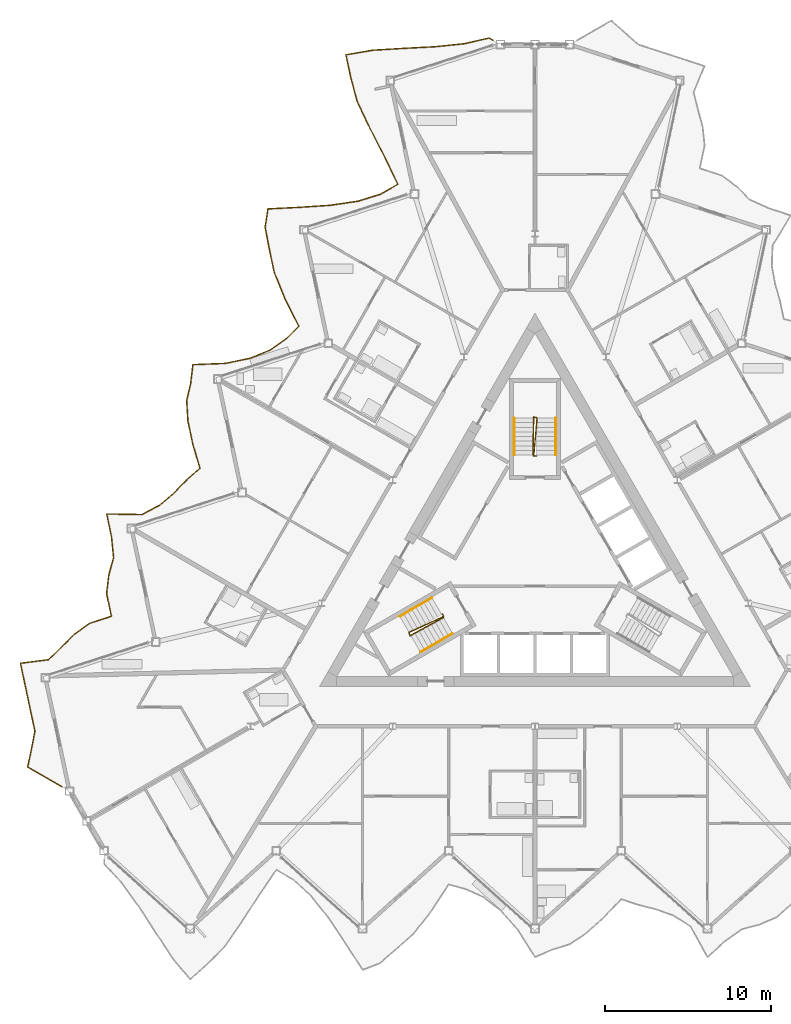
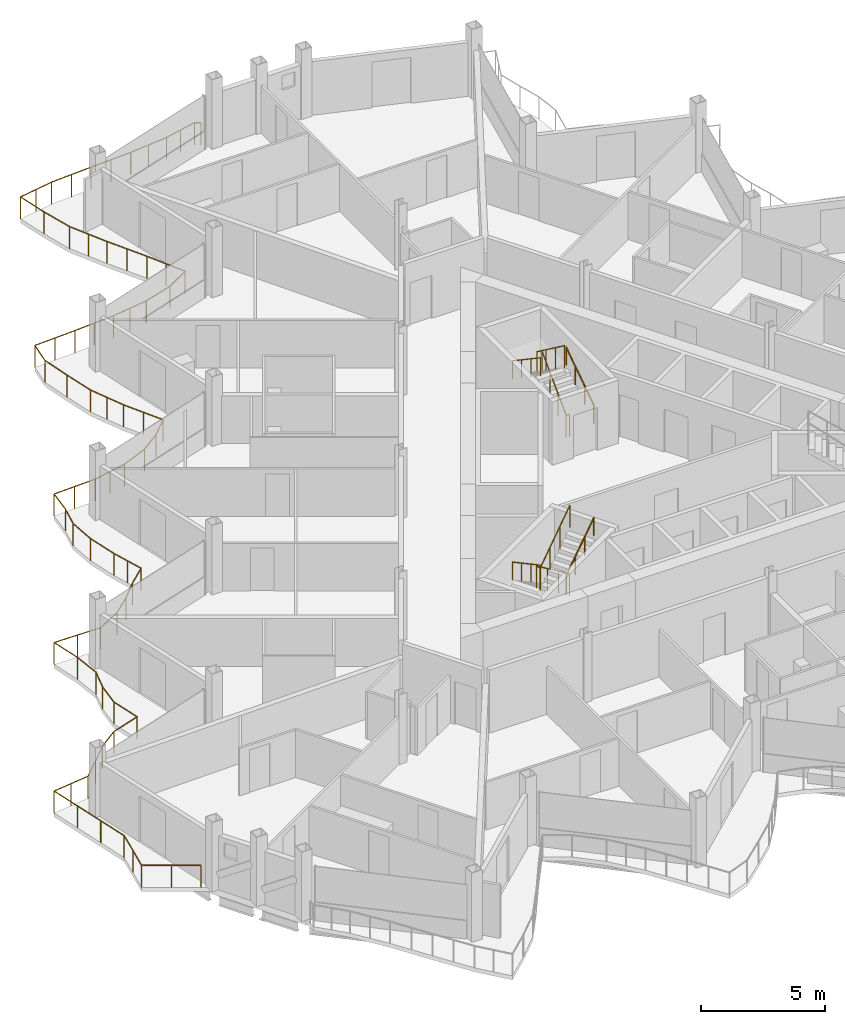
# One storey, part 23 of 26: 7 railings.
"""IFC4 building model written with IfcOpenShell, lengths in metres."""

from ifc_helpers import new_model, si_unit, direction, frame, origin, origin_2d, place, context, subcontext, project, spatial, circle, extrude, material, type_object, element, save


model = new_model("IFC4")

# Units and contexts
model_context = context("Model", 3, precision=1e-05, world=origin(), true_north=direction((0.0, 1.0)))
body_context = subcontext(model_context, "Body", "Model", "MODEL_VIEW")
ifc_project = project(units=[si_unit("LENGTHUNIT", "METRE"), si_unit("AREAUNIT", "SQUARE_METRE"), si_unit("VOLUMEUNIT", "CUBIC_METRE"), si_unit("PLANEANGLEUNIT", "RADIAN"), si_unit("MASSUNIT", "GRAM", prefix="KILO")], contexts=[model_context])

# Site, building, storey
site_placement = place(None, origin())
site = spatial("IfcSite", under=ifc_project, at=site_placement, CompositionType="ELEMENT")
building_placement = place(site_placement, origin())
building = spatial("IfcBuilding", under=site, at=building_placement, Name="Cormorant Prow Tower", CompositionType="ELEMENT")
storey_placement = place(building_placement, frame((0.0, 0.0, 398.39990234375)))
storey = spatial("IfcBuildingStorey", under=building, at=storey_placement, Name="L91", CompositionType="ELEMENT", Elevation=398.39990234375)

# Railings
ifc_material_1 = material(Name="Aluminium 6063-T6", Category="aluminium")
railing_type_1 = type_object("IfcRailingType", Name="Balcony guard 1100", PredefinedType="GUARDRAIL", material=ifc_material_1)
railing_1_placement = place(storey_placement, frame((-2.52685546875, 31.481201171875, 0.0)))
element("IfcRailing", 1, at=railing_1_placement, inside=storey, type_object=railing_type_1, Name="Balcony guard WNW", PredefinedType="GUARDRAIL", context=body_context, shape_type="SweptSolid", body=[
    extrude(circle(Radius=0.02392578125, at=origin_2d()), frame((0.0, 0.0, 1.076171875), z_axis=(-0.866065156741, 0.499931139538, 0.0), x_axis=(-0.499931139538, -0.866065156741, 0.0)), (0.0, 0.0, 1.0), 0.27001953125),
    extrude(circle(Radius=0.02392578125, at=origin_2d()), frame((-0.23388671875, 0.135009765625, 1.076171875), z_axis=(-0.974873370291, -0.222759762745, 0.0), x_axis=(0.222759762745, -0.974873370291, 0.0)), (0.0, 0.0, 1.0), 1.52880859375),
    extrude(circle(Radius=0.02392578125, at=origin_2d()), frame((-1.724365234375, -0.20556640625, 1.076171875), z_axis=(-0.994629350633, -0.103500989653, 0.0), x_axis=(0.103500989653, -0.994629350633, 0.0)), (0.0, 0.0, 1.0), 1.771484375),
    extrude(circle(Radius=0.02392578125, at=origin_2d()), frame((-3.486328125, -0.388916015625, 1.076171875), z_axis=(-0.998632269779, -0.052283742747, 0.0), x_axis=(0.052283742747, -0.998632269779, 0.0)), (0.0, 0.0, 1.0), 1.909912109375),
    extrude(circle(Radius=0.02392578125, at=origin_2d()), frame((-5.3935546875, -0.48876953125, 1.076171875), z_axis=(-0.998162331377, -0.060596701399, 0.0), x_axis=(0.060596701399, -0.998162331377, 0.0)), (0.0, 0.0, 1.0), 1.885498046875),
    extrude(circle(Radius=0.02392578125, at=origin_2d()), frame((-7.275634765625, -0.60302734375, 1.076171875), z_axis=(-0.985696356204, -0.168530986367, 0.0), x_axis=(0.168530986367, -0.985696356204, 0.0)), (0.0, 0.0, 1.0), 1.628173828125),
    extrude(circle(Radius=0.02392578125, at=origin_2d()), frame((-8.880615234375, -0.87744140625, 1.076171875), z_axis=(0.207944297815, -0.978140669335, 0.0), x_axis=(0.978140669335, 0.207944297815, 0.0)), (0.0, 0.0, 1.0), 1.3994140625),
    extrude(circle(Radius=0.02392578125, at=origin_2d()), frame((-8.589599609375, -2.246337890625, 1.076171875), z_axis=(0.256450563767, -0.966557348709, 0.0), x_axis=(0.966557348709, 0.256450563767, 0.0)), (0.0, 0.0, 1.0), 1.467041015625),
    extrude(circle(Radius=0.02392578125, at=origin_2d()), frame((-8.21337890625, -3.664306640625, 1.076171875), z_axis=(0.426711576911, -0.904387765359, 0.0), x_axis=(0.904387765359, 0.426711576911, 0.0)), (0.0, 0.0, 1.0), 1.8251953125),
    extrude(circle(Radius=0.02392578125, at=origin_2d()), frame((-7.4345703125, -5.31494140625, 1.076171875), z_axis=(0.45720436602, -0.889361663044, 0.0), x_axis=(0.889361663044, 0.45720436602, 0.0)), (0.0, 0.0, 1.0), 1.920166015625),
    extrude(circle(Radius=0.02392578125, at=origin_2d()), frame((-6.556640625, -7.022705078125, 1.076171875), z_axis=(0.434918906618, -0.90046962451, 0.0), x_axis=(0.90046962451, 0.434918906618, 0.0)), (0.0, 0.0, 1.0), 1.84912109375),
    extrude(circle(Radius=0.02392578125, at=origin_2d()), frame((-5.75244140625, -8.687744140625, 1.076171875), z_axis=(-0.867204398471, -0.497952338354, 0.0), x_axis=(0.497952338354, -0.867204398471, 0.0)), (0.0, 0.0, 1.0), 1.20263671875),
    extrude(circle(Radius=0.02392578125, at=origin_2d()), frame((-6.79541015625, -9.28662109375, 1.076171875), z_axis=(-0.955030475697, -0.296507656715, 0.0), x_axis=(0.296507656715, -0.955030475697, 0.0)), (0.0, 0.0, 1.0), 1.416259765625),
    extrude(circle(Radius=0.02392578125, at=origin_2d()), frame((-8.14794921875, -9.70654296875, 1.076171875), z_axis=(-0.989243360766, -0.146279093447, 0.0), x_axis=(0.146279093447, -0.989243360766, 0.0)), (0.0, 0.0, 1.0), 1.674072265625),
    extrude(circle(Radius=0.02392578125, at=origin_2d()), frame((-9.803955078125, -9.951416015625, 1.076171875), z_axis=(-0.997767193681, -0.066787927164, 0.0), x_axis=(0.066787927164, -0.997767193681, 0.0)), (0.0, 0.0, 1.0), 1.867919921875),
    extrude(circle(Radius=0.02392578125, at=origin_2d()), frame((-11.667724609375, -10.076171875, 1.076171875), z_axis=(-0.998759316448, -0.049797869514, 0.0), x_axis=(0.049797869514, -0.998759316448, 0.0)), (0.0, 0.0, 1.0), 1.9169921875),
    extrude(circle(Radius=0.02392578125, at=origin_2d()), frame((-13.582275390625, -10.171630859375, 1.076171875), z_axis=(-0.153916021447, -0.988083932843, 0.0), x_axis=(0.988083932843, -0.153916021447, 0.0)), (0.0, 0.0, 1.0), 1.114990234375),
    extrude(circle(Radius=0.02392578125, at=origin_2d()), frame((-13.75390625, -11.2734375, 1.076171875), z_axis=(0.18608198355, -0.982534220981, 0.0), x_axis=(0.982534220981, 0.18608198355, 0.0)), (0.0, 0.0, 1.0), 1.372314453125),
    extrude(circle(Radius=0.02392578125, at=origin_2d()), frame((-13.49853515625, -12.621826171875, 1.076171875), z_axis=(0.20777738218, -0.978176139279, 0.0), x_axis=(0.978176139279, 0.20777738218, 0.0)), (0.0, 0.0, 1.0), 1.3994140625),
    extrude(circle(Radius=0.02392578125, at=origin_2d()), frame((-13.207763671875, -13.99072265625, 1.076171875), z_axis=(0.373958300554, -0.927445518317, 0.0), x_axis=(0.927445518317, 0.373958300554, 0.0)), (0.0, 0.0, 1.0), 1.687744140625),
    extrude(circle(Radius=0.02392578125, at=origin_2d()), frame((-12.57666015625, -15.555908203125, 1.076171875), z_axis=(0.450707823125, -0.892671528712, 0.0), x_axis=(0.892671528712, 0.450707823125, 0.0)), (0.0, 0.0, 1.0), 1.898681640625),
    extrude(circle(Radius=0.02392578125, at=origin_2d()), frame((-11.720947265625, -17.250732421875, 1.076171875), z_axis=(-0.709707035486, -0.704496929576, 0.0), x_axis=(0.704496929576, -0.709707035486, 0.0)), (0.0, 0.0, 1.0), 1.07763671875),
    extrude(circle(Radius=0.02392578125, at=origin_2d()), frame((-12.48583984375, -18.010009765625, 1.076171875), z_axis=(-0.813978799113, -0.580894581309, 0.0), x_axis=(0.580894581309, -0.813978799113, 0.0)), (0.0, 0.0, 1.0), 1.142822265625),
    extrude(circle(Radius=0.02392578125, at=origin_2d()), frame((-13.416015625, -18.673828125, 1.076171875), z_axis=(-0.92453937259, -0.381086536801, 0.0), x_axis=(0.381086536801, -0.92453937259, 0.0)), (0.0, 0.0, 1.0), 1.312744140625),
    extrude(circle(Radius=0.02392578125, at=origin_2d()), frame((-14.629638671875, -19.174072265625, 1.076171875), z_axis=(-0.979287111935, -0.202476547773, 0.0), x_axis=(0.202476547773, -0.979287111935, 0.0)), (0.0, 0.0, 1.0), 1.56396484375),
    extrude(circle(Radius=0.02392578125, at=origin_2d()), frame((-16.1611328125, -19.49072265625, 1.076171875), z_axis=(-0.99926228289, -0.038404296551, 0.0), x_axis=(0.038404296551, -0.99926228289, 0.0)), (0.0, 0.0, 1.0), 1.95166015625),
    extrude(circle(Radius=0.02392578125, at=origin_2d()), frame((-18.111328125, -19.565673828125, 1.076171875), z_axis=(-0.11686626833, -0.993147660384, 0.0), x_axis=(0.993147660384, -0.11686626833, 0.0)), (0.0, 0.0, 1.0), 1.13232421875),
    extrude(circle(Radius=0.02392578125, at=origin_2d()), frame((-18.24365234375, -20.690185546875, 1.076171875), z_axis=(-0.22422016943, -0.97453851418, 0.0), x_axis=(0.97453851418, -0.22422016943, 0.0)), (0.0, 0.0, 1.0), 1.087646484375),
    extrude(circle(Radius=0.02392578125, at=origin_2d()), frame((-18.487548828125, -21.750244140625, 1.076171875), z_axis=(0.063886451825, -0.997957174068, 0.0), x_axis=(0.997957174068, 0.063886451825, 0.0)), (0.0, 0.0, 1.0), 1.24951171875),
    extrude(circle(Radius=0.02392578125, at=origin_2d()), frame((-18.40771484375, -22.997314453125, 1.076171875), z_axis=(0.207944297815, -0.978140669335, 0.0), x_axis=(0.978140669335, 0.207944297815, 0.0)), (0.0, 0.0, 1.0), 1.3994140625),
    extrude(circle(Radius=0.02392578125, at=origin_2d()), frame((-18.11669921875, -24.3662109375, 1.076171875), z_axis=(0.284456795852, -0.958688860524, 0.0), x_axis=(0.958688860524, 0.284456795852, 0.0)), (0.0, 0.0, 1.0), 1.511474609375),
    extrude(circle(Radius=0.02392578125, at=origin_2d()), frame((-17.686767578125, -25.815185546875, 1.076171875), z_axis=(-0.748158452979, -0.663520104621, 0.0), x_axis=(0.663520104621, -0.748158452979, 0.0)), (0.0, 0.0, 1.0), 1.09619140625),
    extrude(circle(Radius=0.02392578125, at=origin_2d()), frame((-18.5068359375, -26.54248046875, 1.076171875), z_axis=(-0.694004890658, -0.71997028532, 0.0), x_axis=(0.71997028532, -0.694004890658, 0.0)), (0.0, 0.0, 1.0), 1.07177734375),
    extrude(circle(Radius=0.02392578125, at=origin_2d()), frame((-19.250732421875, -27.314208984375, 1.076171875), z_axis=(-0.761360498228, -0.648328768247, 0.0), x_axis=(0.648328768247, -0.761360498228, 0.0)), (0.0, 0.0, 1.0), 1.103759765625),
    extrude(circle(Radius=0.02392578125, at=origin_2d()), frame((-20.091064453125, -28.02978515625, 1.076171875), z_axis=(-0.882363970647, -0.470567554452, 0.0), x_axis=(0.470567554452, -0.882363970647, 0.0)), (0.0, 0.0, 1.0), 1.225341796875),
    extrude(circle(Radius=0.02392578125, at=origin_2d()), frame((-21.17236328125, -28.6064453125, 1.076171875), z_axis=(-0.999874162448, 0.015863772238, 0.0), x_axis=(-0.015863772238, -0.999874162448, 0.0)), (0.0, 0.0, 1.0), 2.13916015625),
    extrude(circle(Radius=0.02392578125, at=origin_2d()), frame((-23.311279296875, -28.572509765625, 1.076171875), z_axis=(0.207812845083, -0.978168605823, 0.0), x_axis=(0.978168605823, 0.207812845083, 0.0)), (0.0, 0.0, 1.0), 1.399169921875),
    extrude(circle(Radius=0.02392578125, at=origin_2d()), frame((-23.0205078125, -29.941162109375, 1.076171875), z_axis=(0.097538060509, -0.995231795489, 0.0), x_axis=(0.995231795489, 0.097538060509, 0.0)), (0.0, 0.0, 1.0), 1.279052734375),
    extrude(circle(Radius=0.02392578125, at=origin_2d()), frame((-22.895751953125, -31.214111328125, 1.076171875), z_axis=(-0.266307602116, -0.963888095712, 0.0), x_axis=(0.963888095712, -0.266307602116, 0.0)), (0.0, 0.0, 1.0), 1.074462890625),
    extrude(circle(Radius=0.02392578125, at=origin_2d()), frame((-23.181884765625, -32.249755859375, 1.076171875), z_axis=(-0.119145220618, -0.992876838487, 0.0), x_axis=(0.992876838487, -0.119145220618, 0.0)), (0.0, 0.0, 1.0), 1.131103515625),
    extrude(circle(Radius=0.02392578125, at=origin_2d()), frame((-23.316650390625, -33.372802734375, 1.076171875), z_axis=(0.207944297815, -0.978140669335, 0.0), x_axis=(0.978140669335, 0.207944297815, 0.0)), (0.0, 0.0, 1.0), 1.3994140625),
    extrude(circle(Radius=0.02392578125, at=origin_2d()), frame((-23.025634765625, -34.74169921875, 1.076171875), z_axis=(-0.951028941009, -0.309101849499, 0.0), x_axis=(0.309101849499, -0.951028941009, 0.0)), (0.0, 0.0, 1.0), 1.399658203125),
    extrude(circle(Radius=0.02392578125, at=origin_2d()), frame((-24.356689453125, -35.17431640625, 1.076171875), z_axis=(-0.809393871264, -0.587266175733, 0.0), x_axis=(0.587266175733, -0.809393871264, 0.0)), (0.0, 0.0, 1.0), 1.138671875),
    extrude(circle(Radius=0.02392578125, at=origin_2d()), frame((-25.2783203125, -35.843017578125, 1.076171875), z_axis=(-0.703121250885, -0.711069973036, 0.0), x_axis=(0.711069973036, -0.703121250885, 0.0)), (0.0, 0.0, 1.0), 1.074951171875),
    extrude(circle(Radius=0.02392578125, at=origin_2d()), frame((-26.0341796875, -36.607421875, 1.076171875), z_axis=(-0.719187567553, -0.694815977564, 0.0), x_axis=(0.694815977564, -0.719187567553, 0.0)), (0.0, 0.0, 1.0), 1.081787109375),
    extrude(circle(Radius=0.02392578125, at=origin_2d()), frame((-26.812255859375, -37.359130859375, 1.076171875), z_axis=(-0.99172234521, -0.12840089568, 0.0), x_axis=(0.12840089568, -0.99172234521, 0.0)), (0.0, 0.0, 1.0), 1.713134765625),
    extrude(circle(Radius=0.02392578125, at=origin_2d()), frame((-28.51123046875, -37.5791015625, 1.076171875), z_axis=(0.20777738218, -0.978176139279, 0.0), x_axis=(0.978176139279, 0.20777738218, 0.0)), (0.0, 0.0, 1.0), 1.3994140625),
    extrude(circle(Radius=0.02392578125, at=origin_2d()), frame((-28.220458984375, -38.947998046875, 1.076171875), z_axis=(0.207944297815, -0.978140669335, 0.0), x_axis=(0.978140669335, 0.207944297815, 0.0)), (0.0, 0.0, 1.0), 1.3994140625),
    extrude(circle(Radius=0.02392578125, at=origin_2d()), frame((-27.929443359375, -40.31689453125, 1.076171875), z_axis=(0.207944297815, -0.978140669335, 0.0), x_axis=(0.978140669335, 0.207944297815, 0.0)), (0.0, 0.0, 1.0), 1.3994140625),
    extrude(circle(Radius=0.02392578125, at=origin_2d()), frame((-27.638427734375, -41.685791015625, 1.076171875), z_axis=(-0.191630354817, -0.981467170675, 0.0), x_axis=(0.981467170675, -0.191630354817, 0.0)), (0.0, 0.0, 1.0), 1.099365234375),
    extrude(circle(Radius=0.02392578125, at=origin_2d()), frame((-27.84912109375, -42.764892578125, 1.076171875), z_axis=(-0.205201060308, -0.978719839816, 0.0), x_axis=(0.978719839816, -0.205201060308, 0.0)), (0.0, 0.0, 1.0), 1.094482421875),
    extrude(circle(Radius=0.02392578125, at=origin_2d()), frame((-28.07373046875, -43.836181640625, 1.076171875), z_axis=(0.866025985952, -0.499998991654, 0.0), x_axis=(0.499998991654, 0.866025985952, 0.0)), (0.0, 0.0, 1.0), 2.39453125),
    extrude(circle(Radius=0.02099609375, at=origin_2d()), origin(), (0.0, 0.0, 1.0), 1.052001953125),
    extrude(circle(Radius=0.02099609375, at=origin_2d()), frame((-0.23388671875, 0.135009765625, 0.0)), (0.0, 0.0, 1.0), 1.052001953125),
    extrude(circle(Radius=0.02099609375, at=origin_2d()), frame((-0.97900390625, -0.03515625, 0.0)), (0.0, 0.0, 1.0), 1.052001953125),
    extrude(circle(Radius=0.02099609375, at=origin_2d()), frame((-1.724365234375, -0.20556640625, 0.0)), (0.0, 0.0, 1.0), 1.052001953125),
    extrude(circle(Radius=0.02099609375, at=origin_2d()), frame((-2.60546875, -0.29736328125, 0.0)), (0.0, 0.0, 1.0), 1.052001953125),
    extrude(circle(Radius=0.02099609375, at=origin_2d()), frame((-3.486328125, -0.388916015625, 0.0)), (0.0, 0.0, 1.0), 1.052001953125),
    extrude(circle(Radius=0.02099609375, at=origin_2d()), frame((-4.43994140625, -0.43896484375, 0.0)), (0.0, 0.0, 1.0), 1.052001953125),
    extrude(circle(Radius=0.02099609375, at=origin_2d()), frame((-5.3935546875, -0.48876953125, 0.0)), (0.0, 0.0, 1.0), 1.052001953125),
    extrude(circle(Radius=0.02099609375, at=origin_2d()), frame((-6.33447265625, -0.5458984375, 0.0)), (0.0, 0.0, 1.0), 1.052001953125),
    extrude(circle(Radius=0.02099609375, at=origin_2d()), frame((-7.275634765625, -0.60302734375, 0.0)), (0.0, 0.0, 1.0), 1.052001953125),
    extrude(circle(Radius=0.02099609375, at=origin_2d()), frame((-8.078125, -0.740234375, 0.0)), (0.0, 0.0, 1.0), 1.052001953125),
    extrude(circle(Radius=0.02099609375, at=origin_2d()), frame((-8.880615234375, -0.87744140625, 0.0)), (0.0, 0.0, 1.0), 1.052001953125),
    extrude(circle(Radius=0.02099609375, at=origin_2d()), frame((-8.589599609375, -2.246337890625, 0.0)), (0.0, 0.0, 1.0), 1.052001953125),
    extrude(circle(Radius=0.02099609375, at=origin_2d()), frame((-8.21337890625, -3.664306640625, 0.0)), (0.0, 0.0, 1.0), 1.052001953125),
    extrude(circle(Radius=0.02099609375, at=origin_2d()), frame((-7.823974609375, -4.48974609375, 0.0)), (0.0, 0.0, 1.0), 1.052001953125),
    extrude(circle(Radius=0.02099609375, at=origin_2d()), frame((-7.4345703125, -5.31494140625, 0.0)), (0.0, 0.0, 1.0), 1.052001953125),
    extrude(circle(Radius=0.02099609375, at=origin_2d()), frame((-6.99560546875, -6.1689453125, 0.0)), (0.0, 0.0, 1.0), 1.052001953125),
    extrude(circle(Radius=0.02099609375, at=origin_2d()), frame((-6.556640625, -7.022705078125, 0.0)), (0.0, 0.0, 1.0), 1.052001953125),
    extrude(circle(Radius=0.02099609375, at=origin_2d()), frame((-6.154541015625, -7.855224609375, 0.0)), (0.0, 0.0, 1.0), 1.052001953125),
    extrude(circle(Radius=0.02099609375, at=origin_2d()), frame((-5.75244140625, -8.687744140625, 0.0)), (0.0, 0.0, 1.0), 1.052001953125),
    extrude(circle(Radius=0.02099609375, at=origin_2d()), frame((-6.79541015625, -9.28662109375, 0.0)), (0.0, 0.0, 1.0), 1.052001953125),
    extrude(circle(Radius=0.02099609375, at=origin_2d()), frame((-8.14794921875, -9.70654296875, 0.0)), (0.0, 0.0, 1.0), 1.052001953125),
    extrude(circle(Radius=0.02099609375, at=origin_2d()), frame((-8.97607421875, -9.8291015625, 0.0)), (0.0, 0.0, 1.0), 1.052001953125),
    extrude(circle(Radius=0.02099609375, at=origin_2d()), frame((-9.803955078125, -9.951416015625, 0.0)), (0.0, 0.0, 1.0), 1.052001953125),
    extrude(circle(Radius=0.02099609375, at=origin_2d()), frame((-10.73583984375, -10.013671875, 0.0)), (0.0, 0.0, 1.0), 1.052001953125),
    extrude(circle(Radius=0.02099609375, at=origin_2d()), frame((-11.667724609375, -10.076171875, 0.0)), (0.0, 0.0, 1.0), 1.052001953125),
    extrude(circle(Radius=0.02099609375, at=origin_2d()), frame((-12.625, -10.1240234375, 0.0)), (0.0, 0.0, 1.0), 1.052001953125),
    extrude(circle(Radius=0.02099609375, at=origin_2d()), frame((-13.582275390625, -10.171630859375, 0.0)), (0.0, 0.0, 1.0), 1.052001953125),
    extrude(circle(Radius=0.02099609375, at=origin_2d()), frame((-13.75390625, -11.2734375, 0.0)), (0.0, 0.0, 1.0), 1.052001953125),
    extrude(circle(Radius=0.02099609375, at=origin_2d()), frame((-13.49853515625, -12.621826171875, 0.0)), (0.0, 0.0, 1.0), 1.052001953125),
    extrude(circle(Radius=0.02099609375, at=origin_2d()), frame((-13.207763671875, -13.99072265625, 0.0)), (0.0, 0.0, 1.0), 1.052001953125),
    extrude(circle(Radius=0.02099609375, at=origin_2d()), frame((-12.89208984375, -14.7734375, 0.0)), (0.0, 0.0, 1.0), 1.052001953125),
    extrude(circle(Radius=0.02099609375, at=origin_2d()), frame((-12.57666015625, -15.555908203125, 0.0)), (0.0, 0.0, 1.0), 1.052001953125),
    extrude(circle(Radius=0.02099609375, at=origin_2d()), frame((-12.14892578125, -16.4033203125, 0.0)), (0.0, 0.0, 1.0), 1.052001953125),
    extrude(circle(Radius=0.02099609375, at=origin_2d()), frame((-11.720947265625, -17.250732421875, 0.0)), (0.0, 0.0, 1.0), 1.052001953125),
    extrude(circle(Radius=0.02099609375, at=origin_2d()), frame((-12.48583984375, -18.010009765625, 0.0)), (0.0, 0.0, 1.0), 1.052001953125),
    extrude(circle(Radius=0.02099609375, at=origin_2d()), frame((-13.416015625, -18.673828125, 0.0)), (0.0, 0.0, 1.0), 1.052001953125),
    extrude(circle(Radius=0.02099609375, at=origin_2d()), frame((-14.629638671875, -19.174072265625, 0.0)), (0.0, 0.0, 1.0), 1.052001953125),
    extrude(circle(Radius=0.02099609375, at=origin_2d()), frame((-15.3955078125, -19.33251953125, 0.0)), (0.0, 0.0, 1.0), 1.052001953125),
    extrude(circle(Radius=0.02099609375, at=origin_2d()), frame((-16.1611328125, -19.49072265625, 0.0)), (0.0, 0.0, 1.0), 1.052001953125),
    extrude(circle(Radius=0.02099609375, at=origin_2d()), frame((-17.13623046875, -19.5283203125, 0.0)), (0.0, 0.0, 1.0), 1.052001953125),
    extrude(circle(Radius=0.02099609375, at=origin_2d()), frame((-18.111328125, -19.565673828125, 0.0)), (0.0, 0.0, 1.0), 1.052001953125),
    extrude(circle(Radius=0.02099609375, at=origin_2d()), frame((-18.24365234375, -20.690185546875, 0.0)), (0.0, 0.0, 1.0), 1.052001953125),
    extrude(circle(Radius=0.02099609375, at=origin_2d()), frame((-18.487548828125, -21.750244140625, 0.0)), (0.0, 0.0, 1.0), 1.052001953125),
    extrude(circle(Radius=0.02099609375, at=origin_2d()), frame((-18.40771484375, -22.997314453125, 0.0)), (0.0, 0.0, 1.0), 1.052001953125),
    extrude(circle(Radius=0.02099609375, at=origin_2d()), frame((-18.11669921875, -24.3662109375, 0.0)), (0.0, 0.0, 1.0), 1.052001953125),
    extrude(circle(Radius=0.02099609375, at=origin_2d()), frame((-17.90185546875, -25.0908203125, 0.0)), (0.0, 0.0, 1.0), 1.052001953125),
    extrude(circle(Radius=0.02099609375, at=origin_2d()), frame((-17.686767578125, -25.815185546875, 0.0)), (0.0, 0.0, 1.0), 1.052001953125),
    extrude(circle(Radius=0.02099609375, at=origin_2d()), frame((-18.5068359375, -26.54248046875, 0.0)), (0.0, 0.0, 1.0), 1.052001953125),
    extrude(circle(Radius=0.02099609375, at=origin_2d()), frame((-19.250732421875, -27.314208984375, 0.0)), (0.0, 0.0, 1.0), 1.052001953125),
    extrude(circle(Radius=0.02099609375, at=origin_2d()), frame((-20.091064453125, -28.02978515625, 0.0)), (0.0, 0.0, 1.0), 1.052001953125),
    extrude(circle(Radius=0.02099609375, at=origin_2d()), frame((-21.17236328125, -28.6064453125, 0.0)), (0.0, 0.0, 1.0), 1.052001953125),
    extrude(circle(Radius=0.02099609375, at=origin_2d()), frame((-22.24169921875, -28.58935546875, 0.0)), (0.0, 0.0, 1.0), 1.052001953125),
    extrude(circle(Radius=0.02099609375, at=origin_2d()), frame((-23.311279296875, -28.572509765625, 0.0)), (0.0, 0.0, 1.0), 1.052001953125),
    extrude(circle(Radius=0.02099609375, at=origin_2d()), frame((-23.0205078125, -29.941162109375, 0.0)), (0.0, 0.0, 1.0), 1.052001953125),
    extrude(circle(Radius=0.02099609375, at=origin_2d()), frame((-22.895751953125, -31.214111328125, 0.0)), (0.0, 0.0, 1.0), 1.052001953125),
    extrude(circle(Radius=0.02099609375, at=origin_2d()), frame((-23.181884765625, -32.249755859375, 0.0)), (0.0, 0.0, 1.0), 1.052001953125),
    extrude(circle(Radius=0.02099609375, at=origin_2d()), frame((-23.316650390625, -33.372802734375, 0.0)), (0.0, 0.0, 1.0), 1.052001953125),
    extrude(circle(Radius=0.02099609375, at=origin_2d()), frame((-23.025634765625, -34.74169921875, 0.0)), (0.0, 0.0, 1.0), 1.052001953125),
    extrude(circle(Radius=0.02099609375, at=origin_2d()), frame((-24.356689453125, -35.17431640625, 0.0)), (0.0, 0.0, 1.0), 1.052001953125),
    extrude(circle(Radius=0.02099609375, at=origin_2d()), frame((-25.2783203125, -35.843017578125, 0.0)), (0.0, 0.0, 1.0), 1.052001953125),
    extrude(circle(Radius=0.02099609375, at=origin_2d()), frame((-26.0341796875, -36.607421875, 0.0)), (0.0, 0.0, 1.0), 1.052001953125),
    extrude(circle(Radius=0.02099609375, at=origin_2d()), frame((-26.812255859375, -37.359130859375, 0.0)), (0.0, 0.0, 1.0), 1.052001953125),
    extrude(circle(Radius=0.02099609375, at=origin_2d()), frame((-27.66162109375, -37.46923828125, 0.0)), (0.0, 0.0, 1.0), 1.052001953125),
    extrude(circle(Radius=0.02099609375, at=origin_2d()), frame((-28.51123046875, -37.5791015625, 0.0)), (0.0, 0.0, 1.0), 1.052001953125),
    extrude(circle(Radius=0.02099609375, at=origin_2d()), frame((-28.220458984375, -38.947998046875, 0.0)), (0.0, 0.0, 1.0), 1.052001953125),
    extrude(circle(Radius=0.02099609375, at=origin_2d()), frame((-27.929443359375, -40.31689453125, 0.0)), (0.0, 0.0, 1.0), 1.052001953125),
    extrude(circle(Radius=0.02099609375, at=origin_2d()), frame((-27.638427734375, -41.685791015625, 0.0)), (0.0, 0.0, 1.0), 1.052001953125),
    extrude(circle(Radius=0.02099609375, at=origin_2d()), frame((-27.84912109375, -42.764892578125, 0.0)), (0.0, 0.0, 1.0), 1.052001953125),
    extrude(circle(Radius=0.02099609375, at=origin_2d()), frame((-28.07373046875, -43.836181640625, 0.0)), (0.0, 0.0, 1.0), 1.052001953125),
    extrude(circle(Radius=0.02099609375, at=origin_2d()), frame((-27.036865234375, -44.434814453125, 0.0)), (0.0, 0.0, 1.0), 1.052001953125),
    extrude(circle(Radius=0.02099609375, at=origin_2d()), frame((-26.0, -45.033447265625, 0.0)), (0.0, 0.0, 1.0), 1.052001953125),
])
ifc_material_2 = material(Name="Stainless steel", Category="steel")
railing_type_2 = type_object("IfcRailingType", Name="Stair guard 1100", PredefinedType="GUARDRAIL", material=ifc_material_2)
railing_2_placement = place(storey_placement, frame((-5.585205078125, -3.137939453125, 0.0)))
element("IfcRailing", 2, at=railing_2_placement, inside=storey, type_object=railing_type_2, Name="L91 ST1 stair guard 1", PredefinedType="GUARDRAIL", context=body_context, shape_type="SweptSolid", body=[
    extrude(circle(Radius=0.02392578125, at=origin_2d()), frame((0.0, 0.0, 1.076171875), z_axis=(0.501036270542, -0.865426285481, 0.0), x_axis=(0.865426285481, 0.501036270542, 0.0)), (0.0, 0.0, 1.0), 0.150146484375),
    extrude(circle(Radius=0.02392578125, at=origin_2d()), frame((0.0751953125, -0.1298828125, 1.076171875), z_axis=(-0.728604041492, -0.3399241403, 0.594632432316), x_axis=(0.422792438952, -0.906226546491, 0.0)), (0.0, 0.0, 1.0), 2.859130859375),
    extrude(circle(Radius=0.02392578125, at=origin_2d()), frame((-2.008056640625, -1.101806640625, 2.7763671875), z_axis=(0.275034262293, -0.961434425515, 0.0), x_axis=(0.961434425515, 0.275034262293, 0.0)), (0.0, 0.0, 1.0), 0.2060546875),
    extrude(circle(Radius=0.02392578125, at=origin_2d()), frame((-1.951416015625, -1.2998046875, 2.7763671875), z_axis=(0.704058451865, 0.386179398835, 0.595959032378), x_axis=(-0.480911908544, 0.87676891837, 0.0)), (0.0, 0.0, 1.0), 2.8525390625),
    extrude(circle(Radius=0.02099609375, at=origin_2d()), origin(), (0.0, 0.0, 1.0), 1.052001953125),
    extrude(circle(Radius=0.02099609375, at=origin_2d()), frame((0.0751953125, -0.1298828125, 0.0)), (0.0, 0.0, 1.0), 1.052001953125),
    extrude(circle(Radius=0.02099609375, at=origin_2d()), frame((-0.619140625, -0.453857421875, 0.566650390625)), (0.0, 0.0, 1.0), 1.052001953125),
    extrude(circle(Radius=0.02099609375, at=origin_2d()), frame((-1.313720703125, -0.77783203125, 1.133544921875)), (0.0, 0.0, 1.0), 1.052001953125),
    extrude(circle(Radius=0.02099609375, at=origin_2d()), frame((-2.008056640625, -1.101806640625, 1.7001953125)), (0.0, 0.0, 1.0), 1.052001953125),
    extrude(circle(Radius=0.02099609375, at=origin_2d()), frame((-1.951416015625, -1.2998046875, 1.7001953125)), (0.0, 0.0, 1.0), 1.052001953125),
    extrude(circle(Radius=0.02099609375, at=origin_2d()), frame((-1.281982421875, -0.9326171875, 2.266845703125)), (0.0, 0.0, 1.0), 1.052001953125),
    extrude(circle(Radius=0.02099609375, at=origin_2d()), frame((-0.612548828125, -0.5654296875, 2.83349609375)), (0.0, 0.0, 1.0), 1.052001953125),
    extrude(circle(Radius=0.02099609375, at=origin_2d()), frame((0.056884765625, -0.1982421875, 3.400146484375)), (0.0, 0.0, 1.0), 1.052001953125),
])
railing_3_placement = place(storey_placement, frame((0.074951171875, 6.40576171875, 0.0)))
element("IfcRailing", 3, at=railing_3_placement, inside=storey, type_object=railing_type_2, Name="L91 ST3 stair guard 1", PredefinedType="GUARDRAIL", context=body_context, shape_type="SweptSolid", body=[
    extrude(circle(Radius=0.02392578125, at=origin_2d()), frame((0.0, 0.0, 1.076171875), z_axis=(-1.0, 0.0, 0.0), x_axis=(0.0, -1.0, 0.0)), (0.0, 0.0, 1.0), 0.14990234375),
    extrude(circle(Radius=0.02392578125, at=origin_2d()), frame((-0.14990234375, 0.0, 1.076171875), z_axis=(0.069932991402, 0.800941952812, 0.594643897589), x_axis=(-0.996209839609, 0.086982500921, 0.0)), (0.0, 0.0, 1.0), 2.859130859375),
    extrude(circle(Radius=0.02392578125, at=origin_2d()), frame((0.050048828125, 2.2900390625, 2.7763671875), z_axis=(-0.970072785993, 0.242814311512, 0.0), x_axis=(-0.242814311512, -0.970072785993, 0.0)), (0.0, 0.0, 1.0), 0.2060546875),
    extrude(circle(Radius=0.02392578125, at=origin_2d()), frame((-0.14990234375, 2.340087890625, 2.7763671875), z_axis=(-0.017545750742, -0.80282508275, 0.595956402045), x_axis=(0.999761264773, -0.0218497931, 0.0)), (0.0, 0.0, 1.0), 2.8525390625),
    extrude(circle(Radius=0.02099609375, at=origin_2d()), origin(), (0.0, 0.0, 1.0), 1.052001953125),
    extrude(circle(Radius=0.02099609375, at=origin_2d()), frame((-0.14990234375, 0.0, 0.0)), (0.0, 0.0, 1.0), 1.052001953125),
    extrude(circle(Radius=0.02099609375, at=origin_2d()), frame((-0.083251953125, 0.763427734375, 0.566650390625)), (0.0, 0.0, 1.0), 1.052001953125),
    extrude(circle(Radius=0.02099609375, at=origin_2d()), frame((-0.0166015625, 1.526611328125, 1.133544921875)), (0.0, 0.0, 1.0), 1.052001953125),
    extrude(circle(Radius=0.02099609375, at=origin_2d()), frame((0.050048828125, 2.2900390625, 1.7001953125)), (0.0, 0.0, 1.0), 1.052001953125),
    extrude(circle(Radius=0.02099609375, at=origin_2d()), frame((-0.14990234375, 2.340087890625, 1.7001953125)), (0.0, 0.0, 1.0), 1.052001953125),
    extrude(circle(Radius=0.02099609375, at=origin_2d()), frame((-0.16650390625, 1.57666015625, 2.266845703125)), (0.0, 0.0, 1.0), 1.052001953125),
    extrude(circle(Radius=0.02099609375, at=origin_2d()), frame((-0.183349609375, 0.8134765625, 2.83349609375)), (0.0, 0.0, 1.0), 1.052001953125),
    extrude(circle(Radius=0.02099609375, at=origin_2d()), frame((-0.199951171875, 0.050048828125, 3.400146484375)), (0.0, 0.0, 1.0), 1.052001953125),
])
ifc_material_3 = material(Name="Stainless steel", Category="steel")
railing_type_3 = type_object("IfcRailingType", Name="Stair handrail 900", PredefinedType="HANDRAIL", material=ifc_material_3)
railing_4_placement = place(storey_placement, frame((-6.212890625, -2.150634765625, 0.18896484375)))
element("IfcRailing", 4, at=railing_4_placement, inside=storey, type_object=railing_type_3, Name="L91 ST1 stair handrail 1", PredefinedType="HANDRAIL", context=body_context, shape_type="SweptSolid", body=[
    extrude(circle(Radius=0.02392578125, at=origin_2d()), frame((0.0, 0.0, 0.8759765625), z_axis=(-0.717940317343, -0.414446543626, 0.55928147047), x_axis=(0.49994888933, -0.866054910533, 0.0)), (0.0, 0.0, 1.0), 2.7021484375),
    extrude(circle(Radius=0.02099609375, at=origin_2d()), origin(), (0.0, 0.0, 1.0), 0.851806640625),
    extrude(circle(Radius=0.02099609375, at=origin_2d()), frame((-0.646728515625, -0.373291015625, 0.503662109375)), (0.0, 0.0, 1.0), 0.851806640625),
    extrude(circle(Radius=0.02099609375, at=origin_2d()), frame((-1.293212890625, -0.74658203125, 1.007568359375)), (0.0, 0.0, 1.0), 0.851806640625),
    extrude(circle(Radius=0.02099609375, at=origin_2d()), frame((-1.93994140625, -1.119873046875, 1.51123046875)), (0.0, 0.0, 1.0), 0.851806640625),
])
railing_5_placement = place(storey_placement, frame((-6.90869140625, -5.42529296875, 1.888916015625)))
element("IfcRailing", 5, at=railing_5_placement, inside=storey, type_object=railing_type_3, Name="L91 ST1 stair handrail 2", PredefinedType="HANDRAIL", context=body_context, shape_type="SweptSolid", body=[
    extrude(circle(Radius=0.02392578125, at=origin_2d()), frame((0.0, 0.0, 0.8759765625), z_axis=(0.717869644322, 0.414548260308, 0.559296802813), x_axis=(-0.500077830873, 0.865980463445, 0.0)), (0.0, 0.0, 1.0), 2.701904296875),
    extrude(circle(Radius=0.02099609375, at=origin_2d()), origin(), (0.0, 0.0, 1.0), 0.851806640625),
    extrude(circle(Radius=0.02099609375, at=origin_2d()), frame((0.646484375, 0.373291015625, 0.503662109375)), (0.0, 0.0, 1.0), 0.851806640625),
    extrude(circle(Radius=0.02099609375, at=origin_2d()), frame((1.293212890625, 0.746826171875, 1.007568359375)), (0.0, 0.0, 1.0), 0.851806640625),
    extrude(circle(Radius=0.02099609375, at=origin_2d()), frame((1.939697265625, 1.1201171875, 1.51123046875)), (0.0, 0.0, 1.0), 0.851806640625),
])
railing_6_placement = place(storey_placement, frame((1.243896484375, 6.455810546875, 0.18896484375)))
element("IfcRailing", 6, at=railing_6_placement, inside=storey, type_object=railing_type_3, Name="L91 ST3 stair handrail 1", PredefinedType="HANDRAIL", context=body_context, shape_type="SweptSolid", body=[
    extrude(circle(Radius=0.02392578125, at=origin_2d()), frame((0.0, 0.0, 0.8759765625), z_axis=(0.0, 0.828979582247, 0.559278868023), x_axis=(-1.0, 0.0, 0.0)), (0.0, 0.0, 1.0), 2.7021484375),
    extrude(circle(Radius=0.02099609375, at=origin_2d()), origin(), (0.0, 0.0, 1.0), 0.851806640625),
    extrude(circle(Radius=0.02099609375, at=origin_2d()), frame((0.0, 0.74658203125, 0.503662109375)), (0.0, 0.0, 1.0), 0.851806640625),
    extrude(circle(Radius=0.02099609375, at=origin_2d()), frame((0.0, 1.493408203125, 1.007568359375)), (0.0, 0.0, 1.0), 0.851806640625),
    extrude(circle(Radius=0.02099609375, at=origin_2d()), frame((0.0, 2.239990234375, 1.51123046875)), (0.0, 0.0, 1.0), 0.851806640625),
])
railing_7_placement = place(storey_placement, frame((-1.243896484375, 8.69580078125, 1.888916015625)))
element("IfcRailing", 7, at=railing_7_placement, inside=storey, type_object=railing_type_3, Name="L91 ST3 stair handrail 2", PredefinedType="HANDRAIL", context=body_context, shape_type="SweptSolid", body=[
    extrude(circle(Radius=0.02392578125, at=origin_2d()), frame((0.0, 0.0, 0.8759765625), z_axis=(0.0, -0.828979582247, 0.559278868023), x_axis=(1.0, 0.0, 0.0)), (0.0, 0.0, 1.0), 2.7021484375),
    extrude(circle(Radius=0.02099609375, at=origin_2d()), origin(), (0.0, 0.0, 1.0), 0.851806640625),
    extrude(circle(Radius=0.02099609375, at=origin_2d()), frame((0.0, -0.74658203125, 0.503662109375)), (0.0, 0.0, 1.0), 0.851806640625),
    extrude(circle(Radius=0.02099609375, at=origin_2d()), frame((0.0, -1.493408203125, 1.007568359375)), (0.0, 0.0, 1.0), 0.851806640625),
    extrude(circle(Radius=0.02099609375, at=origin_2d()), frame((0.0, -2.239990234375, 1.51123046875)), (0.0, 0.0, 1.0), 0.851806640625),
])

save(model, "model.ifc")
